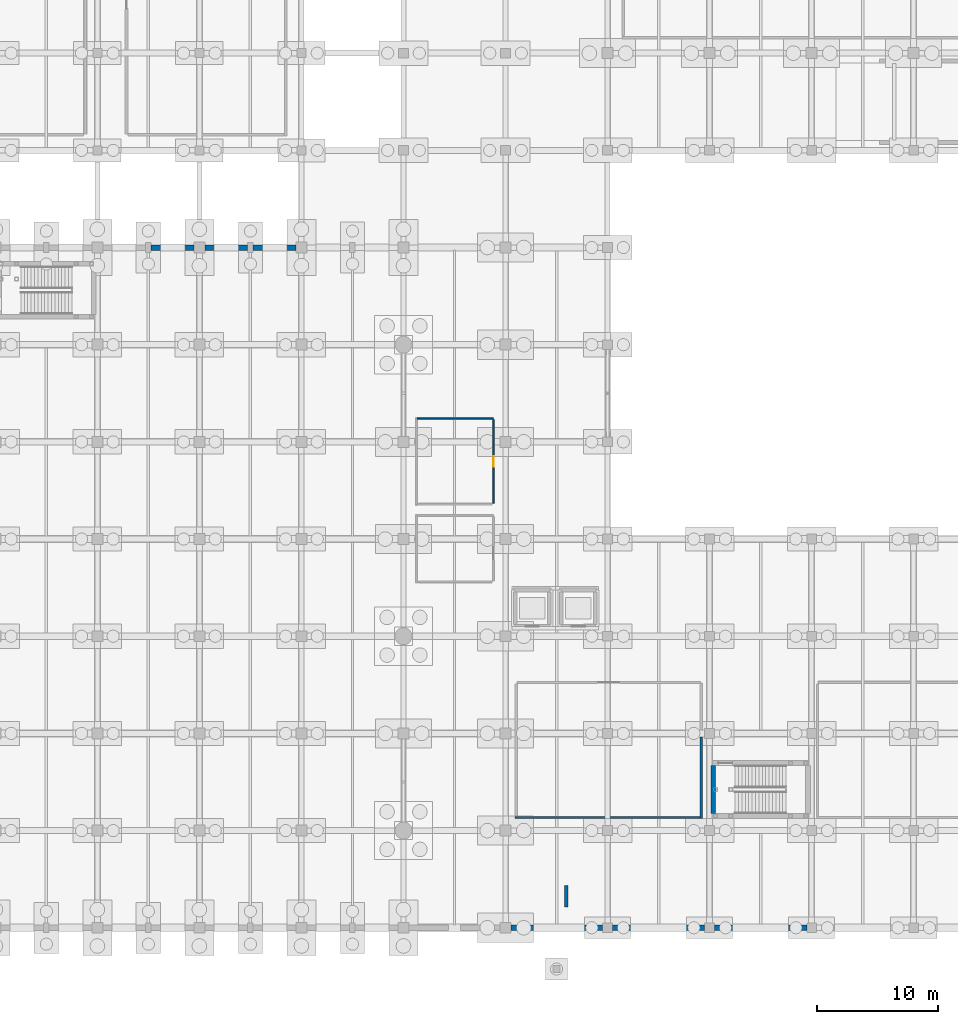
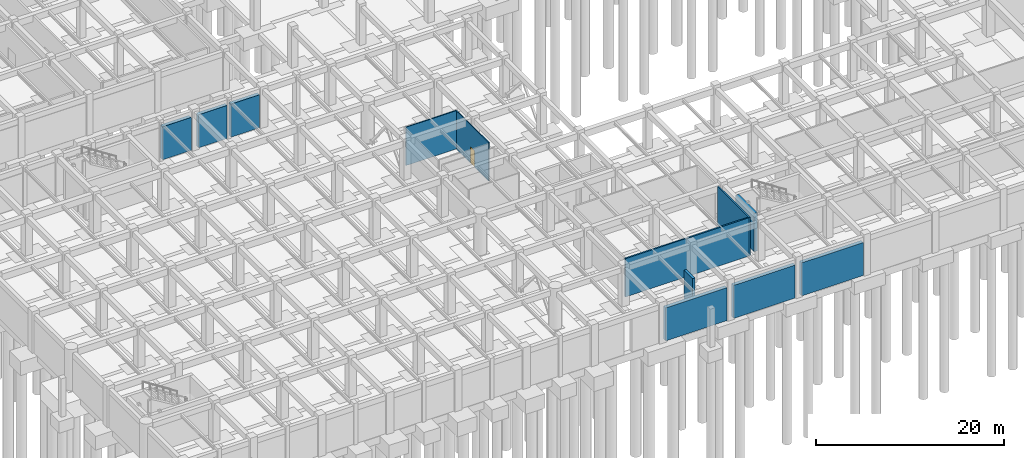
# One storey, part 37 of 56: 12 walls, 1 door, 1 opening.
"""IFC4 building model written with IfcOpenShell, lengths in metres."""

from ifc_helpers import new_model, si_unit, direction, frame, frame_2d, origin, place, context, subcontext, project, spatial, rectangle, extrude, material, layer, layer_set, type_object, element, fill, save


model = new_model("IFC4")

# Units and contexts
model_context = context("Model", 3, precision=1e-05, world=origin(), true_north=direction((0.0, 1.0)))
body_context = subcontext(model_context, "Body", "Model", "MODEL_VIEW")
ifc_project = project(units=[si_unit("LENGTHUNIT", "METRE"), si_unit("AREAUNIT", "SQUARE_METRE"), si_unit("VOLUMEUNIT", "CUBIC_METRE"), si_unit("PLANEANGLEUNIT", "RADIAN"), si_unit("MASSUNIT", "GRAM", prefix="KILO")], contexts=[model_context])

# Site, building, storey
site_placement = place(None, origin())
site = spatial("IfcSite", under=ifc_project, at=site_placement, CompositionType="ELEMENT")
building_placement = place(site_placement, origin())
building = spatial("IfcBuilding", under=site, at=building_placement, Name="Naruveol Harbour Congress Hotel", CompositionType="ELEMENT")
storey_placement = place(building_placement, frame((0.0, 0.0, -5.39990234375)))
storey = spatial("IfcBuildingStorey", under=building, at=storey_placement, Name="B01", CompositionType="ELEMENT", Elevation=-5.39990234375)

# Walls
ifc_material_1 = material(Name="Autoclaved Aerated Concrete Block", Category="concrete")
ifc_layer_1 = layer(ifc_material_1, 0.179931640625)
ifc_layer_set_1 = layer_set([ifc_layer_1], Name="Autoclaved Aerated Concrete Block")
wall_type_1 = type_object("IfcWallType", Name="ACOUSTIC HALL PARTITION WALL 180 EI60", PredefinedType="PARTITIONING", material=ifc_layer_set_1)
wall_1_placement = place(storey_placement, frame((74.919921875, 9.0, 0.0), z_axis=(0.0, 0.0, 1.0), x_axis=(0.0, 1.0, 0.0)))
element("IfcWall", 1, at=wall_1_placement, inside=storey, type_object=wall_type_1, Name="Bicycle Storage and Staff Changing Room east enclosure partition PW-180", PredefinedType="PARTITIONING", context=body_context, shape_type="SweptSolid", body=[
    extrude(rectangle(XDim=6.699951171875, YDim=0.179931640625, at=frame_2d((3.35009765625, 0.0))), origin(), (0.0, 0.0, 1.0), 4.994873046875),
])
wall_2_placement = place(storey_placement, frame((59.60009765625, 9.080078125, 0.0), z_axis=(0.0, 0.0, 1.0), x_axis=(1.0, 0.0, 0.0)))
element("IfcWall", 2, at=wall_2_placement, inside=storey, type_object=wall_type_1, Name="Bicycle Storage and Staff Changing Room south enclosure partition PW-180", PredefinedType="PARTITIONING", context=body_context, shape_type="SweptSolid", body=[
    extrude(rectangle(XDim=15.22998046875, YDim=0.179931640625, at=frame_2d((7.614990234375, 0.0))), origin(), (0.0, 0.0, 1.0), 4.994873046875),
])
ifc_material_2 = material(Name="Concrete C40/50", Category="concrete")
ifc_layer_2 = layer(ifc_material_2, 0.449951171875)
ifc_layer_set_2 = layer_set([ifc_layer_2], Name="Concrete C40/50")
wall_type_2 = type_object("IfcWallType", Name="RC BASEMENT RETAINING WALL 450", PredefinedType="USERDEFINED", material=ifc_layer_set_2)
for number, where, z_axis, x_axis, name in (
    (3, (29.625, 56.0, 0.0), (0.0, 0.0, 1.0), (1.0, 0.0, 0.0), "Basement V1 north wall RW-450"),
    (4, (34.050048828125, 56.0, 0.0), (0.0, 0.0, 1.0), (1.0, 0.0, 0.0), "Basement V1 north wall RW-450"),
):
    element("IfcWall", number, at=place(storey_placement, frame(where, z_axis=z_axis, x_axis=x_axis)), inside=storey, type_object=wall_type_2, Name=name, ObjectType="RETAININGWALL", PredefinedType="USERDEFINED", context=body_context, shape_type="SweptSolid", body=[
        extrude(rectangle(XDim=3.52490234375, YDim=0.449951171875, at=frame_2d((1.762451171875, 0.0))), origin(), (0.0, 0.0, 1.0), 4.2998046875),
    ])
wall_3_placement = place(storey_placement, frame((38.02490234375, 56.0, 0.0), z_axis=(0.0, 0.0, 1.0), x_axis=(1.0, 0.0, 0.0)))
element("IfcWall", 5, at=wall_3_placement, inside=storey, type_object=wall_type_2, Name="Basement V1 north wall RW-450", ObjectType="RETAININGWALL", PredefinedType="USERDEFINED", context=body_context, shape_type="SweptSolid", body=[
    extrude(rectangle(XDim=3.525146484375, YDim=0.449951171875, at=frame_2d((1.7626953125, 0.0))), origin(), (0.0, 0.0, 1.0), 4.2998046875),
])
wall_4_placement = place(storey_placement, frame((83.60009765625, 0.0, 0.0), z_axis=(0.0, 0.0, 1.0), x_axis=(-1.0, 0.0, 0.0)))
element("IfcWall", 6, at=wall_4_placement, inside=storey, type_object=wall_type_2, Name="Basement colonnade south wall RW-450", ObjectType="RETAININGWALL", PredefinedType="USERDEFINED", context=body_context, shape_type="SweptSolid", body=[
    extrude(rectangle(XDim=7.60009765625, YDim=0.449951171875, at=frame_2d((3.800048828125, 0.0))), origin(), (0.0, 0.0, 1.0), 4.2998046875),
])
wall_5_placement = place(storey_placement, frame((75.199951171875, 0.0, 0.0), z_axis=(0.0, 0.0, 1.0), x_axis=(-1.0, 0.0, 0.0)))
element("IfcWall", 7, at=wall_5_placement, inside=storey, type_object=wall_type_2, Name="Basement colonnade south wall RW-450", ObjectType="RETAININGWALL", PredefinedType="USERDEFINED", context=body_context, shape_type="SweptSolid", body=[
    extrude(rectangle(XDim=7.599853515625, YDim=0.449951171875, at=frame_2d((3.7998046875, 0.0))), origin(), (0.0, 0.0, 1.0), 4.2998046875),
])
wall_6_placement = place(storey_placement, frame((66.800048828125, 0.0, 0.0), z_axis=(0.0, 0.0, 1.0), x_axis=(-1.0, 0.0, 0.0)))
element("IfcWall", 8, at=wall_6_placement, inside=storey, type_object=wall_type_2, Name="Basement colonnade south wall RW-450", ObjectType="RETAININGWALL", PredefinedType="USERDEFINED", context=body_context, shape_type="SweptSolid", body=[
    extrude(rectangle(XDim=7.550048828125, YDim=0.449951171875, at=frame_2d((3.77490234375, 0.0))), origin(), (0.0, 0.0, 1.0), 4.2998046875),
])
ifc_material_3 = material(Name="Concrete C50/60", Category="concrete")
ifc_layer_3 = layer(ifc_material_3, 0.39990234375)
ifc_layer_set_3 = layer_set([ifc_layer_3], Name="Concrete C50/60")
wall_type_3 = type_object("IfcWallType", Name="RC CORE SHEAR WALL 400 EI120", PredefinedType="SHEAR", material=ifc_layer_set_3)
wall_7_placement = place(storey_placement, frame((75.89990234375, 9.405029296875, 0.0), z_axis=(0.0, 0.0, 1.0), x_axis=(0.0, 1.0, 0.0)))
element("IfcWall", 9, at=wall_7_placement, inside=storey, type_object=wall_type_3, Name="Stair ST10 west core wall CW-400", PredefinedType="SHEAR", context=body_context, shape_type="SweptSolid", body=[
    extrude(rectangle(XDim=3.949951171875, YDim=0.39990234375, at=frame_2d((1.97509765625, 0.0))), origin(), (0.0, 0.0, 1.0), 4.994873046875),
])
ifc_material_4 = material(Name="Concrete C40/50", Category="concrete")
ifc_layer_4 = layer(ifc_material_4, 0.320068359375)
ifc_layer_set_4 = layer_set([ifc_layer_4], Name="Concrete C40/50")
wall_type_4 = type_object("IfcWallType", Name="RC RAMP SUPPORT WALL 320", PredefinedType="SHEAR", material=ifc_layer_set_4)
wall_8_placement = place(storey_placement, frame((63.800048828125, 1.699951171875, 0.0), z_axis=(0.0, 0.0, 1.0), x_axis=(0.0, 1.0, 0.0)))
element("IfcWall", 10, at=wall_8_placement, inside=storey, type_object=wall_type_4, Name="Promenade ramp bearing pier #1", PredefinedType="SHEAR", context=body_context, shape_type="SweptSolid", body=[
    extrude(rectangle(XDim=1.800048828125, YDim=0.320068359375, at=frame_2d((0.89990234375, 0.0))), origin(), (0.0, 0.0, 1.0), 5.39990234375),
])

# Wall, opening, door
ifc_material_5 = material(Name="Acoustic Double Stud Gypsum", Category="gypsum")
ifc_layer_5 = layer(ifc_material_5, 0.125)
ifc_layer_set_5 = layer_set([ifc_layer_5], Name="Acoustic Double Stud Gypsum")
wall_type_5 = type_object("IfcWallType", Name="SERVICE CHASE PARTITION WALL 125", PredefinedType="PARTITIONING", material=ifc_layer_set_5)
wall_9_placement = place(storey_placement, frame((57.800048828125, 34.9599609375, 0.0), z_axis=(0.0, 0.0, 1.0), x_axis=(0.0, 1.0, 0.0)))
wall_9 = element("IfcWall", 11, at=wall_9_placement, inside=storey, type_object=wall_type_5, Name="Staff Restrooms east entry wall PW-125", PredefinedType="PARTITIONING", context=body_context, shape_type="SweptSolid", body=[
    extrude(rectangle(XDim=6.880126953125, YDim=0.125, at=frame_2d((3.43994140625, 0.0))), origin(), (0.0, 0.0, 1.0), 4.994873046875),
])
opening_placement = place(wall_9_placement, frame((3.010009765625, 0.0, 0.0)))
opening = element("IfcOpeningElement", 12, at=opening_placement, cuts=wall_9, Name="Opening BD-WC-B01-10", PredefinedType="OPENING", context=body_context, shape_type="SweptSolid", body=[
    extrude(rectangle(XDim=0.860107421875, YDim=2.1201171875, at=frame_2d((0.43017578125, 1.06005859375))), frame((0.0, 0.072509765625, 0.0), z_axis=(0.0, -1.0, 0.0), x_axis=(1.0, 0.0, 0.0)), (0.0, 0.0, 1.0), 0.14501953125),
])
ifc_material_6 = material(Name="Timber & Steel Acoustic Leaf", Category="steel")
door_type = type_object("IfcDoorType", Name="GUEST BATHROOM DOOR 860X2120", OperationType="NOTDEFINED", PredefinedType="DOOR", material=ifc_material_6)
door_placement = place(opening_placement, origin())
door = element("IfcDoor", 13, at=door_placement, inside=storey, type_object=door_type, Name="Restroom Door B01", OperationType="SINGLE_SWING_LEFT", OverallHeight=2.1201171875, OverallWidth=0.860107421875, PredefinedType="DOOR", context=body_context, shape_type="SweptSolid", body=[
    extrude(rectangle(XDim=0.860107421875, YDim=2.1201171875, at=frame_2d((0.43017578125, 1.06005859375))), frame((0.0, 0.02490234375, 0.0), z_axis=(0.0, -1.0, 0.0), x_axis=(1.0, 0.0, 0.0)), (0.0, 0.0, 1.0), 0.050048828125),
])
fill(opening, door)

# Wall
wall_10_placement = place(storey_placement, frame((51.5419921875, 41.919921875, 0.0), z_axis=(0.0, 0.0, 1.0), x_axis=(1.0, 0.0, 0.0)))
element("IfcWall", 14, at=wall_10_placement, inside=storey, type_object=wall_type_5, Name="Staff Restrooms north enclosure partition PW-125", PredefinedType="PARTITIONING", context=body_context, shape_type="SweptSolid", body=[
    extrude(rectangle(XDim=6.25390625, YDim=0.125, at=frame_2d((3.126953125, 0.0))), origin(), (0.0, 0.0, 1.0), 4.994873046875),
])

save(model, "model.ifc")
